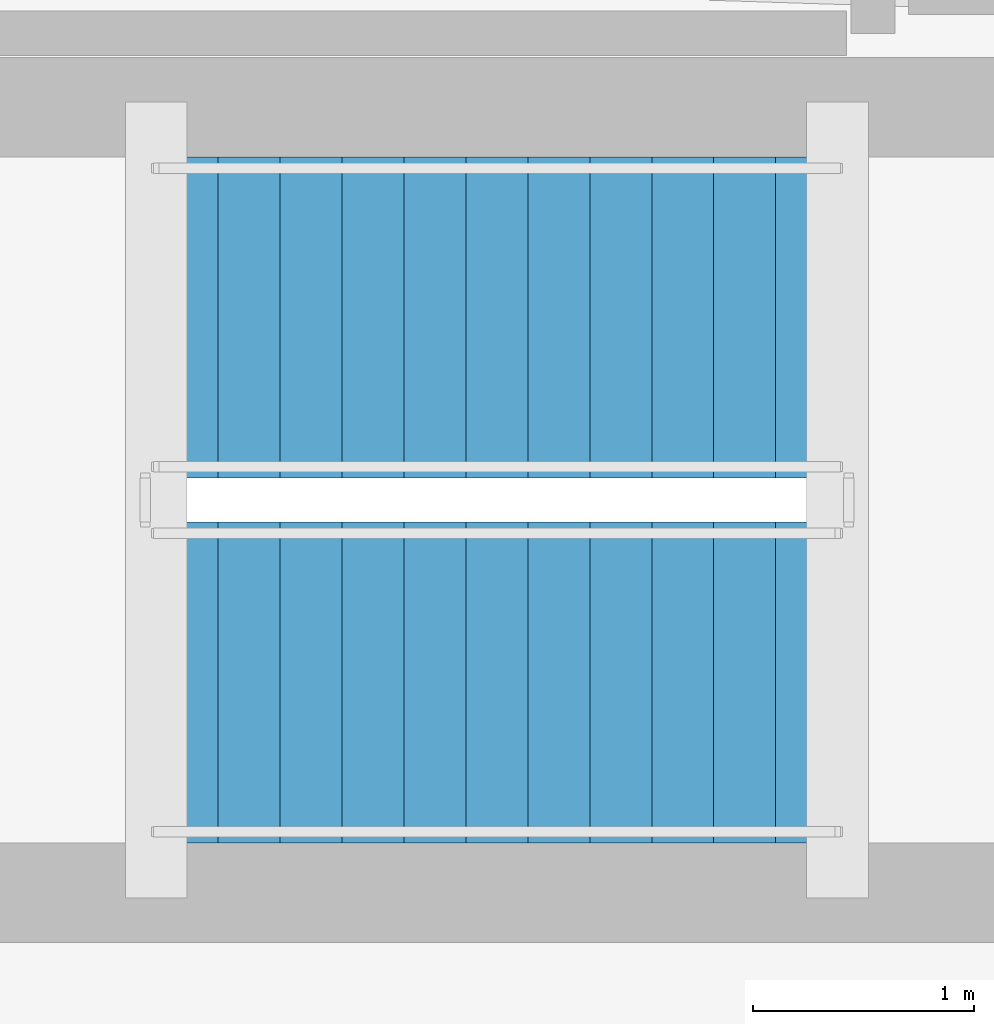
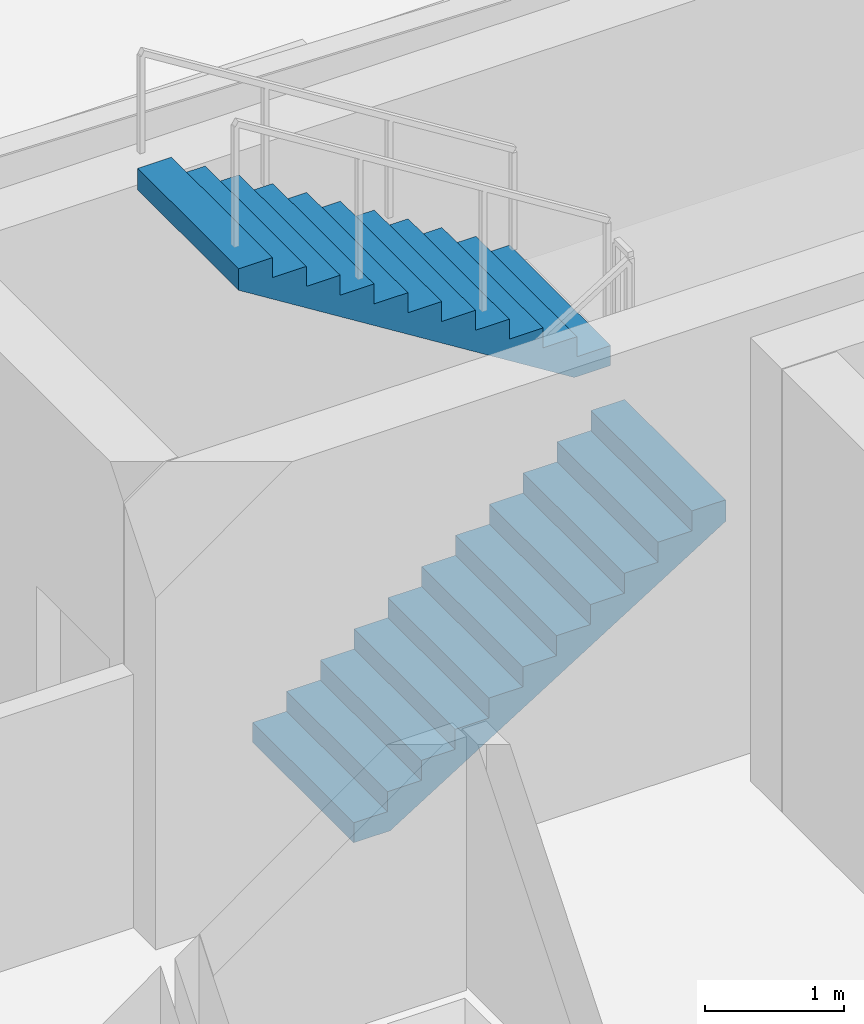
# One storey, part 10 of 13: 2 stair flights, 1 element without a shape of its own.
"""IFC4 building model written with IfcOpenShell, lengths in metres."""

import ifcopenshell
import ifcopenshell.guid

model = None  # the IFC model being written
_history = None  # IfcOwnerHistory: only IFC2X3 demands one
_inside = {}  # id of a spatial element -> (the spatial element, [elements in it])
_under = {}  # id of a project, library or spatial element -> (it, [spatial elements below it])
_declared = {}  # id of a project -> (the project, [libraries it declares])
_typed = {}  # id of a type object -> (the type object, [elements of that type])
_made_of = {}  # id of a material, layer set ... -> (it, [elements and type objects made of it])


def new_model(schema):
    """Start an empty IFC model of exactly this schema.

    Asked for "IFC4X3", IfcOpenShell would pick the latest addendum, in which some entities
    have other attributes; the version numbers below select the first issue.
    IFC2X3 requires an IfcOwnerHistory on every rooted entity: one is made here for all.
    """
    global model, _history
    if schema == "IFC4X3":
        model = ifcopenshell.file(schema_version=(4, 3, 0, 0))
    else:
        model = ifcopenshell.file(schema=schema)
    _inside.clear()
    _under.clear()
    _declared.clear()
    _typed.clear()
    _made_of.clear()
    _history = None
    if model.schema == "IFC2X3":
        org = make("IfcOrganization", Name="unknown")
        user = make(
            "IfcPersonAndOrganization",
            ThePerson=make("IfcPerson", FamilyName="unknown"),
            TheOrganization=org,
        )
        app = make(
            "IfcApplication",
            ApplicationDeveloper=org,
            Version="unknown",
            ApplicationFullName="unknown",
            ApplicationIdentifier="unknown",
        )
        _history = make(
            "IfcOwnerHistory",
            OwningUser=user,
            OwningApplication=app,
            ChangeAction="ADDED",
            CreationDate=0,
        )
    return model


def make(cls, **values):
    """One entity of the class cls with the attributes given. An attribute that is None is left unset."""
    return model.create_entity(
        cls, **{name: value for name, value in values.items() if value is not None}
    )


def rooted(cls, **values):
    """An entity with a GlobalId (a new one), such as an element, a storey or a relation."""
    return make(cls, GlobalId=ifcopenshell.guid.new(), OwnerHistory=_history, **values)


def si_unit(unit_type, name, prefix=None):
    """IfcSIUnit, for example si_unit("LENGTHUNIT", "METRE", prefix="MILLI")."""
    return make("IfcSIUnit", UnitType=unit_type, Prefix=prefix, Name=name)


def assignment(units):
    """IfcUnitAssignment: the units of a project."""
    return None if units is None else make("IfcUnitAssignment", Units=units)


def point(xyz):
    """IfcCartesianPoint."""
    return None if xyz is None else make("IfcCartesianPoint", Coordinates=xyz)


def direction(xyz):
    """IfcDirection."""
    return None if xyz is None else make("IfcDirection", DirectionRatios=xyz)


def frame(location, z_axis=None, x_axis=None):
    """IfcAxis2Placement3D, a coordinate frame: its origin and axes. An axis left out is left unset."""
    return make(
        "IfcAxis2Placement3D",
        Location=point(location),
        Axis=direction(z_axis),
        RefDirection=direction(x_axis),
    )


def origin():
    """The frame at (0, 0, 0) with its axes left unset."""
    return frame((0.0, 0.0, 0.0))


def place(relative_to, where):
    """IfcLocalPlacement: puts the frame where relative to a parent placement (None: the world)."""
    return make(
        "IfcLocalPlacement", PlacementRelTo=relative_to, RelativePlacement=where
    )


def context(
    kind, dimensions, precision=None, world=None, true_north=None, identifier=None
):
    """IfcGeometricRepresentationContext, for example the 3D "Model" context."""
    return make(
        "IfcGeometricRepresentationContext",
        ContextIdentifier=identifier,
        ContextType=kind,
        CoordinateSpaceDimension=dimensions,
        Precision=precision,
        WorldCoordinateSystem=world,
        TrueNorth=true_north,
    )


def subcontext(parent, identifier, kind, view, scale=None):
    """IfcGeometricRepresentationSubContext, for example "Body" below "Model"."""
    return make(
        "IfcGeometricRepresentationSubContext",
        ContextIdentifier=identifier,
        ContextType=kind,
        ParentContext=parent,
        TargetScale=scale,
        TargetView=view,
    )


def project(units=None, contexts=None):
    """IfcProject with its units and contexts."""
    return rooted(
        "IfcProject",
        Name="project",
        RepresentationContexts=contexts,
        UnitsInContext=assignment(units),
    )


def spatial(cls, under=None, at=None, **own):
    """A site, building, storey or space (cls), placed at a placement, below another one or the project."""
    s = rooted(cls, ObjectPlacement=at, **own)
    if under is not None:
        _under.setdefault(under.id(), (under, []))[1].append(s)
    return s


def polyline(points):
    """IfcPolyline through the points."""
    return make("IfcPolyline", Points=[point(p) for p in points])


def outline(outer, holes=None, kind="AREA"):
    """IfcArbitraryClosedProfileDef: a profile drawn as a closed curve; with holes, ...WithVoids."""
    if holes is None:
        return make("IfcArbitraryClosedProfileDef", ProfileType=kind, OuterCurve=outer)
    return make(
        "IfcArbitraryProfileDefWithVoids",
        ProfileType=kind,
        OuterCurve=outer,
        InnerCurves=holes,
    )


def extrude(swept, where, along, depth):
    """IfcExtrudedAreaSolid: the profile swept, set in the frame where, extruded along a direction by depth."""
    return make(
        "IfcExtrudedAreaSolid",
        SweptArea=swept,
        Position=where,
        ExtrudedDirection=direction(along),
        Depth=depth,
    )


def shape(context_of_items, identifier, shape_type, items):
    """IfcShapeRepresentation: the items that make up one representation, for example the "Body"."""
    return make(
        "IfcShapeRepresentation",
        ContextOfItems=context_of_items,
        RepresentationIdentifier=identifier,
        RepresentationType=shape_type,
        Items=items,
    )


def material(Name=None, Category=None):
    """IfcMaterial."""
    return make("IfcMaterial", Name=Name, Category=Category)


def made_of(thing, what):
    """Note that an element or type object is made of a material, layer set ...; save() writes the relation."""
    if what is not None:
        _made_of.setdefault(what.id(), (what, []))[1].append(thing)
    return thing


def type_object(cls, material=None, **own):
    """A type object (cls), such as IfcWallType, which elements share."""
    return made_of(rooted(cls, **own), material)


def element(
    cls,
    number,
    at=None,
    inside=None,
    cuts=None,
    type_object=None,
    material=None,
    context=None,
    identifier="Body",
    shape_type=None,
    held_by="IfcProductDefinitionShape",
    body=None,
    shapes=None,
    **own,
):
    """One element of the class cls, such as IfcWall. Its Tag is "e" and its number.

    at: its placement. inside: the storey or other place that contains it. cuts: it is an
    opening in that element (IfcRelVoidsElement). A single representation is given by context,
    identifier, shape_type and body (its items); several are given by shapes. held_by: the class
    of the entity that holds the representations. save() writes the other relations.
    """
    e = rooted(cls, Tag="e%d" % number, ObjectPlacement=at, **own)
    if body is not None:
        shapes = [shape(context, identifier, shape_type, body)]
    if shapes is not None:
        e.Representation = make(held_by, Representations=shapes)
    if inside is not None:
        _inside.setdefault(inside.id(), (inside, []))[1].append(e)
    if cuts is not None:
        rooted(
            "IfcRelVoidsElement", RelatingBuildingElement=cuts, RelatedOpeningElement=e
        )
    if type_object is not None:
        _typed.setdefault(type_object.id(), (type_object, []))[1].append(e)
    return made_of(e, material)


def aggregate(whole, parts):
    """IfcRelAggregates: a whole, such as a stair, and the parts it consists of."""
    return rooted("IfcRelAggregates", RelatingObject=whole, RelatedObjects=parts)


def save(model, path):
    """Write the relations noted so far, then the file.

    IfcRelAggregates (storeys below a building ...), IfcRelContainedInSpatialStructure (elements
    in a storey), IfcRelDefinesByType, IfcRelAssociatesMaterial and IfcRelDeclares: one each for
    every whole, place, type object, material and project.
    """
    for whole, parts in _under.values():
        aggregate(whole, parts)
    for where, things in _inside.values():
        rooted(
            "IfcRelContainedInSpatialStructure",
            RelatedElements=things,
            RelatingStructure=where,
        )
    for kind, things in _typed.values():
        rooted("IfcRelDefinesByType", RelatedObjects=things, RelatingType=kind)
    for what, things in _made_of.values():
        rooted("IfcRelAssociatesMaterial", RelatedObjects=things, RelatingMaterial=what)
    for by, libraries in _declared.values():
        rooted("IfcRelDeclares", RelatingContext=by, RelatedDefinitions=libraries)
    model.write(path)


model = new_model("IFC4")

# Units and contexts
model_context = context("Model", 3, precision=1e-05, world=origin(), true_north=direction((0.0, 1.0)))
body_context = subcontext(model_context, "Body", "Model", "MODEL_VIEW")
ifc_project = project(units=[si_unit("LENGTHUNIT", "METRE"), si_unit("AREAUNIT", "SQUARE_METRE"), si_unit("VOLUMEUNIT", "CUBIC_METRE"), si_unit("PLANEANGLEUNIT", "RADIAN"), si_unit("MASSUNIT", "GRAM", prefix="KILO")], contexts=[model_context])

# Site, building, storey
site_placement = place(None, origin())
site = spatial("IfcSite", under=ifc_project, at=site_placement, CompositionType="ELEMENT")
building_placement = place(site_placement, origin())
building = spatial("IfcBuilding", under=site, at=building_placement, Name="Korentha Bioscience Tower", CompositionType="ELEMENT")
storey_placement = place(building_placement, frame((0.0, 0.0, 144.60009765625)))
storey = spatial("IfcBuildingStorey", under=building, at=storey_placement, Name="L33", CompositionType="ELEMENT", Elevation=144.60009765625)

# Stair, stair flights
ifc_material = material(Name="Precast Concrete C50", Category="concrete")
stair_type = type_object("IfcStairType", Name="Core Exit Dog-Leg Stair 1450", PredefinedType="HALF_TURN_STAIR", material=ifc_material)
stair_placement = place(storey_placement, origin())
stair = element("IfcStair", 1, at=stair_placement, inside=storey, type_object=stair_type, Name="L33 Tower North Pressurized Exit Stair ST-1", PredefinedType="HALF_TURN_STAIR")
stair_flight_type = type_object("IfcStairFlightType", Name="Core Exit Dog-Leg Stair 1450 Flight", PredefinedType="STRAIGHT", material=ifc_material)
stair_flight_1_placement = place(storey_placement, frame((30.25, 32.824951171875, 0.0), z_axis=(0.0, 0.0, 1.0), x_axis=(1.0, 0.0, 0.0)))
stair_flight_1 = element("IfcStairFlight", 2, at=stair_flight_1_placement, type_object=stair_flight_type, Name="ST-1 flight 1", NumberOfRisers=12, NumberOfTreads=11, PredefinedType="STRAIGHT", RiserHeight=0.175, TreadLength=0.28, context=body_context, shape_type="SweptSolid", body=[
    extrude(outline(polyline([(0.0, 0.0), (0.0, 0.175048828125), (0.280029296875, 0.175048828125), (0.280029296875, 0.35009765625), (0.56005859375, 0.35009765625), (0.56005859375, 0.52490234375), (0.840087890625, 0.52490234375), (0.840087890625, 0.699951171875), (1.1201171875, 0.699951171875), (1.1201171875, 0.875), (1.39990234375, 0.875), (1.39990234375, 1.050048828125), (1.679931640625, 1.050048828125), (1.679931640625, 1.22509765625), (1.9599609375, 1.22509765625), (1.9599609375, 1.39990234375), (2.239990234375, 1.39990234375), (2.239990234375, 1.574951171875), (2.52001953125, 1.574951171875), (2.52001953125, 1.75), (2.800048828125, 1.75), (2.800048828125, 1.925048828125), (3.080078125, 1.925048828125), (3.080078125, 2.10009765625), (3.080078125, 1.736328125), (0.3017578125, 0.0), (0.0, 0.0)])), frame((0.0, 0.72509765625, 0.0), z_axis=(0.0, -1.0, 0.0), x_axis=(1.0, 0.0, 0.0)), (0.0, 0.0, 1.0), 1.449951171875),
])
stair_flight_2_placement = place(storey_placement, frame((33.330078125, 34.47509765625, 2.099853515625), z_axis=(0.0, 0.0, 1.0), x_axis=(-1.0, 0.0, 0.0)))
stair_flight_2 = element("IfcStairFlight", 3, at=stair_flight_2_placement, type_object=stair_flight_type, Name="ST-1 flight 2", NumberOfRisers=12, NumberOfTreads=11, PredefinedType="STRAIGHT", RiserHeight=0.175, TreadLength=0.28, context=body_context, shape_type="SweptSolid", body=[
    extrude(outline(polyline([(0.0, 0.0), (0.0, 0.175048828125), (0.280029296875, 0.175048828125), (0.280029296875, 0.35009765625), (0.56005859375, 0.35009765625), (0.56005859375, 0.52490234375), (0.840087890625, 0.52490234375), (0.840087890625, 0.699951171875), (1.1201171875, 0.699951171875), (1.1201171875, 0.875), (1.39990234375, 0.875), (1.39990234375, 1.050048828125), (1.679931640625, 1.050048828125), (1.679931640625, 1.22509765625), (1.9599609375, 1.22509765625), (1.9599609375, 1.39990234375), (2.239990234375, 1.39990234375), (2.239990234375, 1.574951171875), (2.52001953125, 1.574951171875), (2.52001953125, 1.75), (2.800048828125, 1.75), (2.800048828125, 1.925048828125), (3.080078125, 1.925048828125), (3.080078125, 2.10009765625), (3.080078125, 1.736328125), (0.3017578125, 0.0), (0.0, 0.0)])), frame((0.0, 0.72509765625, 0.0), z_axis=(0.0, -1.0, 0.0), x_axis=(1.0, 0.0, 0.0)), (0.0, 0.0, 1.0), 1.449951171875),
])
aggregate(stair, [stair_flight_1, stair_flight_2])

save(model, "model.ifc")
